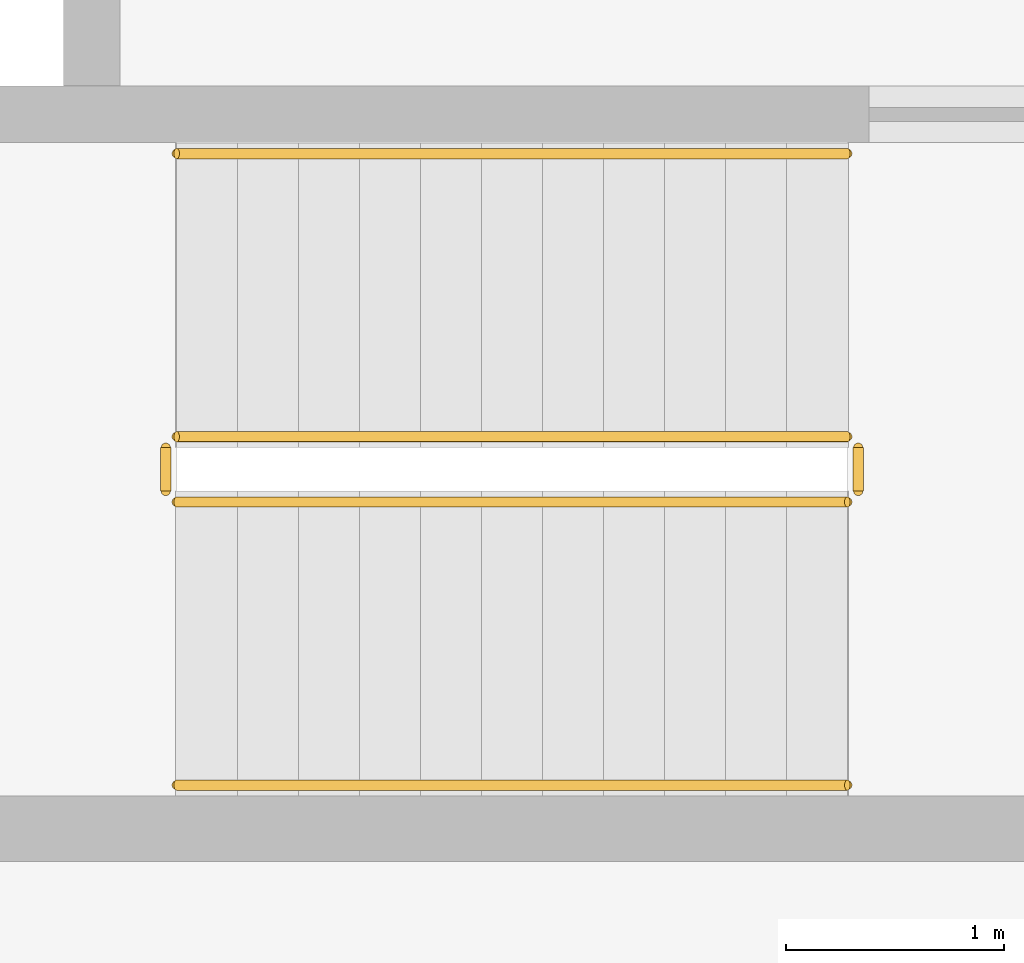
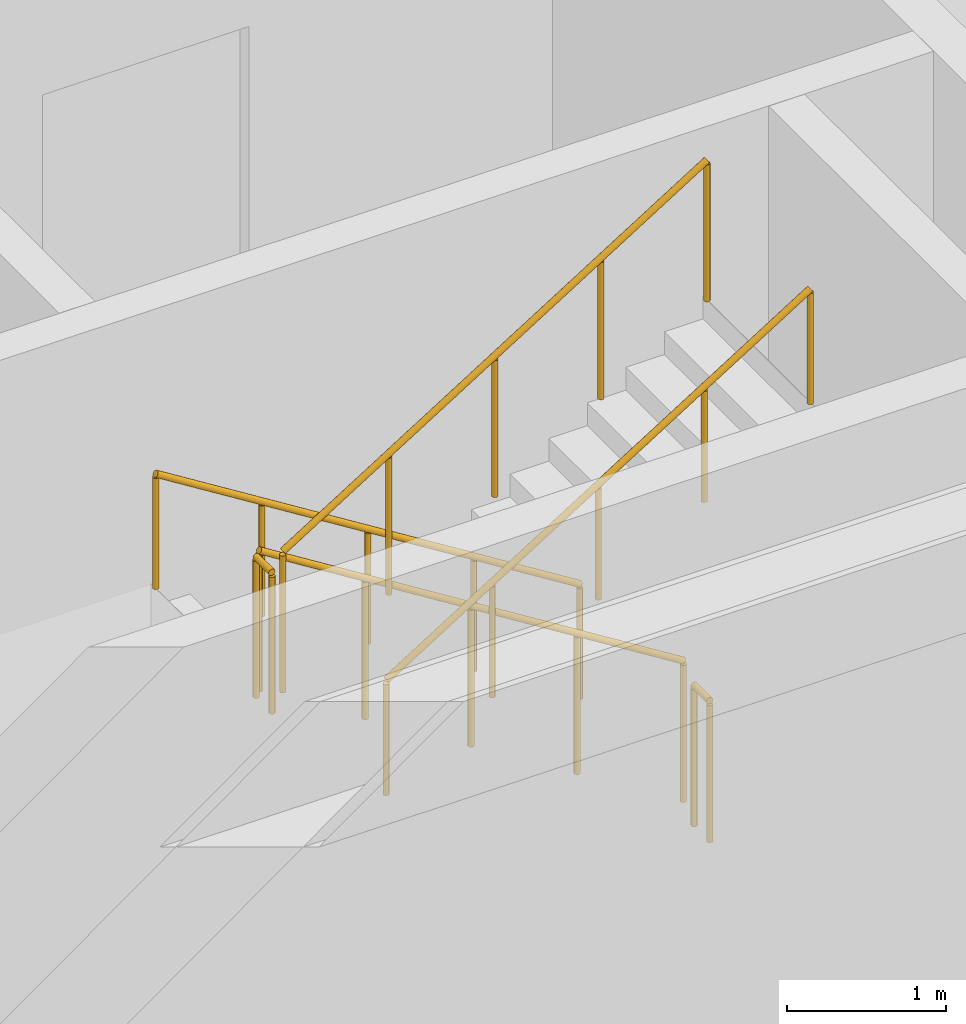
# One storey, part 25 of 28: 6 railings.
"""IFC4 building model written with IfcOpenShell, lengths in metres."""

import ifcopenshell
import ifcopenshell.guid

model = None  # the IFC model being written
_history = None  # IfcOwnerHistory: only IFC2X3 demands one
_inside = {}  # id of a spatial element -> (the spatial element, [elements in it])
_under = {}  # id of a project, library or spatial element -> (it, [spatial elements below it])
_declared = {}  # id of a project -> (the project, [libraries it declares])
_typed = {}  # id of a type object -> (the type object, [elements of that type])
_made_of = {}  # id of a material, layer set ... -> (it, [elements and type objects made of it])


def new_model(schema):
    """Start an empty IFC model of exactly this schema.

    Asked for "IFC4X3", IfcOpenShell would pick the latest addendum, in which some entities
    have other attributes; the version numbers below select the first issue.
    IFC2X3 requires an IfcOwnerHistory on every rooted entity: one is made here for all.
    """
    global model, _history
    if schema == "IFC4X3":
        model = ifcopenshell.file(schema_version=(4, 3, 0, 0))
    else:
        model = ifcopenshell.file(schema=schema)
    _inside.clear()
    _under.clear()
    _declared.clear()
    _typed.clear()
    _made_of.clear()
    _history = None
    if model.schema == "IFC2X3":
        org = make("IfcOrganization", Name="unknown")
        user = make(
            "IfcPersonAndOrganization",
            ThePerson=make("IfcPerson", FamilyName="unknown"),
            TheOrganization=org,
        )
        app = make(
            "IfcApplication",
            ApplicationDeveloper=org,
            Version="unknown",
            ApplicationFullName="unknown",
            ApplicationIdentifier="unknown",
        )
        _history = make(
            "IfcOwnerHistory",
            OwningUser=user,
            OwningApplication=app,
            ChangeAction="ADDED",
            CreationDate=0,
        )
    return model


def make(cls, **values):
    """One entity of the class cls with the attributes given. An attribute that is None is left unset."""
    return model.create_entity(
        cls, **{name: value for name, value in values.items() if value is not None}
    )


def rooted(cls, **values):
    """An entity with a GlobalId (a new one), such as an element, a storey or a relation."""
    return make(cls, GlobalId=ifcopenshell.guid.new(), OwnerHistory=_history, **values)


def si_unit(unit_type, name, prefix=None):
    """IfcSIUnit, for example si_unit("LENGTHUNIT", "METRE", prefix="MILLI")."""
    return make("IfcSIUnit", UnitType=unit_type, Prefix=prefix, Name=name)


def assignment(units):
    """IfcUnitAssignment: the units of a project."""
    return None if units is None else make("IfcUnitAssignment", Units=units)


def point(xyz):
    """IfcCartesianPoint."""
    return None if xyz is None else make("IfcCartesianPoint", Coordinates=xyz)


def direction(xyz):
    """IfcDirection."""
    return None if xyz is None else make("IfcDirection", DirectionRatios=xyz)


def frame(location, z_axis=None, x_axis=None):
    """IfcAxis2Placement3D, a coordinate frame: its origin and axes. An axis left out is left unset."""
    return make(
        "IfcAxis2Placement3D",
        Location=point(location),
        Axis=direction(z_axis),
        RefDirection=direction(x_axis),
    )


def frame_2d(location, x_axis=None):
    """IfcAxis2Placement2D, a coordinate frame in the plane: its origin and x axis."""
    return make(
        "IfcAxis2Placement2D", Location=point(location), RefDirection=direction(x_axis)
    )


def origin():
    """The frame at (0, 0, 0) with its axes left unset."""
    return frame((0.0, 0.0, 0.0))


def origin_2d():
    """The frame at (0, 0) in the plane with its x axis left unset."""
    return frame_2d((0.0, 0.0))


def place(relative_to, where):
    """IfcLocalPlacement: puts the frame where relative to a parent placement (None: the world)."""
    return make(
        "IfcLocalPlacement", PlacementRelTo=relative_to, RelativePlacement=where
    )


def context(
    kind, dimensions, precision=None, world=None, true_north=None, identifier=None
):
    """IfcGeometricRepresentationContext, for example the 3D "Model" context."""
    return make(
        "IfcGeometricRepresentationContext",
        ContextIdentifier=identifier,
        ContextType=kind,
        CoordinateSpaceDimension=dimensions,
        Precision=precision,
        WorldCoordinateSystem=world,
        TrueNorth=true_north,
    )


def subcontext(parent, identifier, kind, view, scale=None):
    """IfcGeometricRepresentationSubContext, for example "Body" below "Model"."""
    return make(
        "IfcGeometricRepresentationSubContext",
        ContextIdentifier=identifier,
        ContextType=kind,
        ParentContext=parent,
        TargetScale=scale,
        TargetView=view,
    )


def project(units=None, contexts=None):
    """IfcProject with its units and contexts."""
    return rooted(
        "IfcProject",
        Name="project",
        RepresentationContexts=contexts,
        UnitsInContext=assignment(units),
    )


def spatial(cls, under=None, at=None, **own):
    """A site, building, storey or space (cls), placed at a placement, below another one or the project."""
    s = rooted(cls, ObjectPlacement=at, **own)
    if under is not None:
        _under.setdefault(under.id(), (under, []))[1].append(s)
    return s


def profile(cls, at=None, kind="AREA", **sizes):
    """A parametric profile (cls). Its sizes go by their IFC names, for example OverallWidth=200.0."""
    return make(cls, ProfileType=kind, Position=at, **sizes)


def circle(**sizes):
    """IfcCircleProfileDef."""
    return profile("IfcCircleProfileDef", **sizes)


def extrude(swept, where, along, depth):
    """IfcExtrudedAreaSolid: the profile swept, set in the frame where, extruded along a direction by depth."""
    return make(
        "IfcExtrudedAreaSolid",
        SweptArea=swept,
        Position=where,
        ExtrudedDirection=direction(along),
        Depth=depth,
    )


def shape(context_of_items, identifier, shape_type, items):
    """IfcShapeRepresentation: the items that make up one representation, for example the "Body"."""
    return make(
        "IfcShapeRepresentation",
        ContextOfItems=context_of_items,
        RepresentationIdentifier=identifier,
        RepresentationType=shape_type,
        Items=items,
    )


def material(Name=None, Category=None):
    """IfcMaterial."""
    return make("IfcMaterial", Name=Name, Category=Category)


def made_of(thing, what):
    """Note that an element or type object is made of a material, layer set ...; save() writes the relation."""
    if what is not None:
        _made_of.setdefault(what.id(), (what, []))[1].append(thing)
    return thing


def type_object(cls, material=None, **own):
    """A type object (cls), such as IfcWallType, which elements share."""
    return made_of(rooted(cls, **own), material)


def element(
    cls,
    number,
    at=None,
    inside=None,
    cuts=None,
    type_object=None,
    material=None,
    context=None,
    identifier="Body",
    shape_type=None,
    held_by="IfcProductDefinitionShape",
    body=None,
    shapes=None,
    **own,
):
    """One element of the class cls, such as IfcWall. Its Tag is "e" and its number.

    at: its placement. inside: the storey or other place that contains it. cuts: it is an
    opening in that element (IfcRelVoidsElement). A single representation is given by context,
    identifier, shape_type and body (its items); several are given by shapes. held_by: the class
    of the entity that holds the representations. save() writes the other relations.
    """
    e = rooted(cls, Tag="e%d" % number, ObjectPlacement=at, **own)
    if body is not None:
        shapes = [shape(context, identifier, shape_type, body)]
    if shapes is not None:
        e.Representation = make(held_by, Representations=shapes)
    if inside is not None:
        _inside.setdefault(inside.id(), (inside, []))[1].append(e)
    if cuts is not None:
        rooted(
            "IfcRelVoidsElement", RelatingBuildingElement=cuts, RelatedOpeningElement=e
        )
    if type_object is not None:
        _typed.setdefault(type_object.id(), (type_object, []))[1].append(e)
    return made_of(e, material)


def aggregate(whole, parts):
    """IfcRelAggregates: a whole, such as a stair, and the parts it consists of."""
    return rooted("IfcRelAggregates", RelatingObject=whole, RelatedObjects=parts)


def save(model, path):
    """Write the relations noted so far, then the file.

    IfcRelAggregates (storeys below a building ...), IfcRelContainedInSpatialStructure (elements
    in a storey), IfcRelDefinesByType, IfcRelAssociatesMaterial and IfcRelDeclares: one each for
    every whole, place, type object, material and project.
    """
    for whole, parts in _under.values():
        aggregate(whole, parts)
    for where, things in _inside.values():
        rooted(
            "IfcRelContainedInSpatialStructure",
            RelatedElements=things,
            RelatingStructure=where,
        )
    for kind, things in _typed.values():
        rooted("IfcRelDefinesByType", RelatedObjects=things, RelatingType=kind)
    for what, things in _made_of.values():
        rooted("IfcRelAssociatesMaterial", RelatedObjects=things, RelatingMaterial=what)
    for by, libraries in _declared.values():
        rooted("IfcRelDeclares", RelatingContext=by, RelatedDefinitions=libraries)
    model.write(path)


model = new_model("IFC4")

# Units and contexts
model_context = context("Model", 3, precision=1e-05, world=origin(), true_north=direction((0.0, 1.0)))
body_context = subcontext(model_context, "Body", "Model", "MODEL_VIEW")
ifc_project = project(units=[si_unit("LENGTHUNIT", "METRE"), si_unit("AREAUNIT", "SQUARE_METRE"), si_unit("VOLUMEUNIT", "CUBIC_METRE"), si_unit("PLANEANGLEUNIT", "RADIAN"), si_unit("MASSUNIT", "GRAM", prefix="KILO")], contexts=[model_context])

# Site, building, storey
site_placement = place(None, origin())
site = spatial("IfcSite", under=ifc_project, at=site_placement, CompositionType="ELEMENT")
building_placement = place(site_placement, origin())
building = spatial("IfcBuilding", under=site, at=building_placement, Name="Fikremerkos Civic Library", CompositionType="ELEMENT")
storey_placement = place(building_placement, frame((0.0, 0.0, -4.199951171875)))
storey = spatial("IfcBuildingStorey", under=building, at=storey_placement, Name="B01", CompositionType="ELEMENT", Elevation=-4.199951171875)

# Railings
ifc_material_1 = material(Name="Painted Steel S275", Category="steel")
railing_type_1 = type_object("IfcRailingType", Name="Interior balustrade guard RLG-INT 1100", PredefinedType="BALUSTRADE", material=ifc_material_1)
railing_1_placement = place(storey_placement, frame((80.699951171875, 98.75, 0.175048828125)))
element("IfcRailing", 1, at=railing_1_placement, inside=storey, type_object=railing_type_1, Name="B01 ST-K5 stair guard 1", PredefinedType="BALUSTRADE", context=body_context, shape_type="SweptSolid", body=[
    extrude(circle(Radius=0.02392578125, at=origin_2d()), frame((0.0, 0.0, 1.076171875), z_axis=(-0.848009633417, 0.0, 0.529980812513), x_axis=(0.0, -1.0, 0.0)), (0.0, 0.0, 1.0), 3.6318359375),
    extrude(circle(Radius=0.02099609375, at=origin_2d()), origin(), (0.0, 0.0, 1.0), 1.052001953125),
    extrude(circle(Radius=0.02099609375, at=origin_2d()), frame((-0.77001953125, 0.0, 0.481201171875)), (0.0, 0.0, 1.0), 1.052001953125),
    extrude(circle(Radius=0.02099609375, at=origin_2d()), frame((-1.5400390625, 0.0, 0.96240234375)), (0.0, 0.0, 1.0), 1.052001953125),
    extrude(circle(Radius=0.02099609375, at=origin_2d()), frame((-2.309814453125, 0.0, 1.443603515625)), (0.0, 0.0, 1.0), 1.052001953125),
    extrude(circle(Radius=0.02099609375, at=origin_2d()), frame((-3.079833984375, 0.0, 1.9248046875)), (0.0, 0.0, 1.0), 1.052001953125),
])
railing_2_placement = place(storey_placement, frame((77.570068359375, 98.699951171875, 2.099853515625)))
element("IfcRailing", 2, at=railing_2_placement, inside=storey, type_object=railing_type_1, Name="B01 ST-K5 stair guard 2", PredefinedType="BALUSTRADE", context=body_context, shape_type="SweptSolid", body=[
    extrude(circle(Radius=0.02392578125, at=origin_2d()), frame((0.0, 0.0, 1.076171875), z_axis=(0.0, -1.0, 0.0), x_axis=(1.0, 0.0, 0.0)), (0.0, 0.0, 1.0), 0.199951171875),
    extrude(circle(Radius=0.02099609375, at=origin_2d()), origin(), (0.0, 0.0, 1.0), 1.052001953125),
    extrude(circle(Radius=0.02099609375, at=origin_2d()), frame((0.0, -0.199951171875, 0.0)), (0.0, 0.0, 1.0), 1.052001953125),
])
railing_3_placement = place(storey_placement, frame((77.6201171875, 98.449951171875, 2.27490234375)))
element("IfcRailing", 3, at=railing_3_placement, inside=storey, type_object=railing_type_1, Name="B01 ST-K5 stair guard 3", PredefinedType="BALUSTRADE", context=body_context, shape_type="SweptSolid", body=[
    extrude(circle(Radius=0.02392578125, at=origin_2d()), frame((0.0, 0.0, 1.076171875), z_axis=(0.847979421464, 0.0, 0.530029150871), x_axis=(0.0, 1.0, 0.0)), (0.0, 0.0, 1.0), 3.632080078125),
    extrude(circle(Radius=0.02099609375, at=origin_2d()), origin(), (0.0, 0.0, 1.0), 1.052001953125),
    extrude(circle(Radius=0.02099609375, at=origin_2d()), frame((0.77001953125, 0.0, 0.481201171875)), (0.0, 0.0, 1.0), 1.052001953125),
    extrude(circle(Radius=0.02099609375, at=origin_2d()), frame((1.5400390625, 0.0, 0.96240234375)), (0.0, 0.0, 1.0), 1.052001953125),
    extrude(circle(Radius=0.02099609375, at=origin_2d()), frame((2.309814453125, 0.0, 1.44384765625)), (0.0, 0.0, 1.0), 1.052001953125),
    extrude(circle(Radius=0.02099609375, at=origin_2d()), frame((3.079833984375, 0.0, 1.925048828125)), (0.0, 0.0, 1.0), 1.052001953125),
])
railing_4_placement = place(storey_placement, frame((80.75, 98.699951171875, 0.0)))
element("IfcRailing", 4, at=railing_4_placement, inside=storey, type_object=railing_type_1, Name="B01 ST-K5 stair guard 4", PredefinedType="BALUSTRADE", context=body_context, shape_type="SweptSolid", body=[
    extrude(circle(Radius=0.02392578125, at=origin_2d()), frame((0.0, 0.0, 1.076171875), z_axis=(0.0, -1.0, 0.0), x_axis=(1.0, 0.0, 0.0)), (0.0, 0.0, 1.0), 0.199951171875),
    extrude(circle(Radius=0.02099609375, at=origin_2d()), origin(), (0.0, 0.0, 1.0), 1.052001953125),
    extrude(circle(Radius=0.02099609375, at=origin_2d()), frame((0.0, -0.199951171875, 0.0)), (0.0, 0.0, 1.0), 1.052001953125),
])
ifc_material_2 = material(Name="Brushed stainless steel", Category="steel")
railing_type_2 = type_object("IfcRailingType", Name="Wall and flight handrail HRL-01 900", PredefinedType="HANDRAIL", material=ifc_material_2)
railing_5_placement = place(storey_placement, frame((80.699951171875, 100.050048828125, 0.175048828125)))
element("IfcRailing", 5, at=railing_5_placement, inside=storey, type_object=railing_type_2, Name="B01 ST-K5 stair handrail 1", PredefinedType="HANDRAIL", context=body_context, shape_type="SweptSolid", body=[
    extrude(circle(Radius=0.02392578125, at=origin_2d()), frame((0.0, 0.0, 0.8759765625), z_axis=(-0.848009633417, 0.0, 0.529980812513), x_axis=(0.0, -1.0, 0.0)), (0.0, 0.0, 1.0), 3.6318359375),
    extrude(circle(Radius=0.02099609375, at=origin_2d()), origin(), (0.0, 0.0, 1.0), 0.851806640625),
    extrude(circle(Radius=0.02099609375, at=origin_2d()), frame((-0.77001953125, 0.0, 0.481201171875)), (0.0, 0.0, 1.0), 0.851806640625),
    extrude(circle(Radius=0.02099609375, at=origin_2d()), frame((-1.5400390625, 0.0, 0.96240234375)), (0.0, 0.0, 1.0), 0.851806640625),
    extrude(circle(Radius=0.02099609375, at=origin_2d()), frame((-2.309814453125, 0.0, 1.443603515625)), (0.0, 0.0, 1.0), 0.851806640625),
    extrude(circle(Radius=0.02099609375, at=origin_2d()), frame((-3.079833984375, 0.0, 1.9248046875)), (0.0, 0.0, 1.0), 0.851806640625),
])
railing_6_placement = place(storey_placement, frame((77.6201171875, 97.14990234375, 2.27490234375)))
element("IfcRailing", 6, at=railing_6_placement, inside=storey, type_object=railing_type_2, Name="B01 ST-K5 stair handrail 2", PredefinedType="HANDRAIL", context=body_context, shape_type="SweptSolid", body=[
    extrude(circle(Radius=0.02392578125, at=origin_2d()), frame((0.0, 0.0, 0.8759765625), z_axis=(0.847979421464, 0.0, 0.530029150871), x_axis=(0.0, 1.0, 0.0)), (0.0, 0.0, 1.0), 3.632080078125),
    extrude(circle(Radius=0.02099609375, at=origin_2d()), origin(), (0.0, 0.0, 1.0), 0.851806640625),
    extrude(circle(Radius=0.02099609375, at=origin_2d()), frame((0.77001953125, 0.0, 0.481201171875)), (0.0, 0.0, 1.0), 0.851806640625),
    extrude(circle(Radius=0.02099609375, at=origin_2d()), frame((1.5400390625, 0.0, 0.96240234375)), (0.0, 0.0, 1.0), 0.851806640625),
    extrude(circle(Radius=0.02099609375, at=origin_2d()), frame((2.309814453125, 0.0, 1.44384765625)), (0.0, 0.0, 1.0), 0.851806640625),
    extrude(circle(Radius=0.02099609375, at=origin_2d()), frame((3.079833984375, 0.0, 1.925048828125)), (0.0, 0.0, 1.0), 0.851806640625),
])

save(model, "model.ifc")
